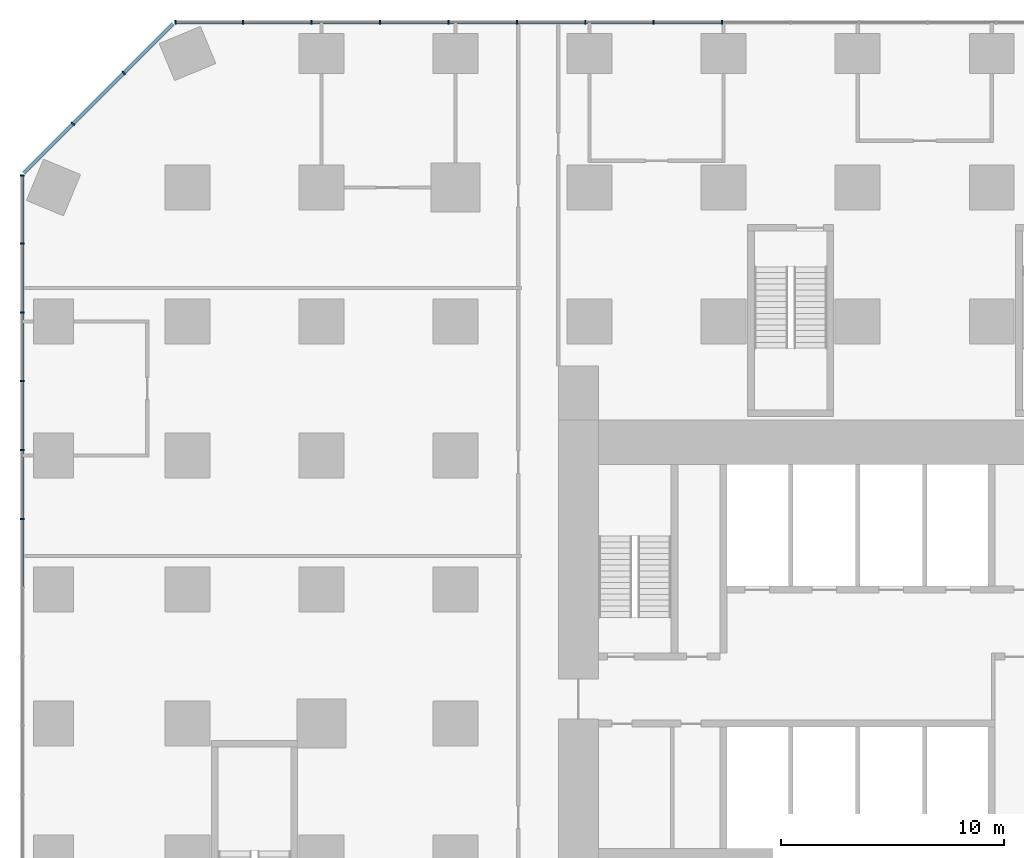
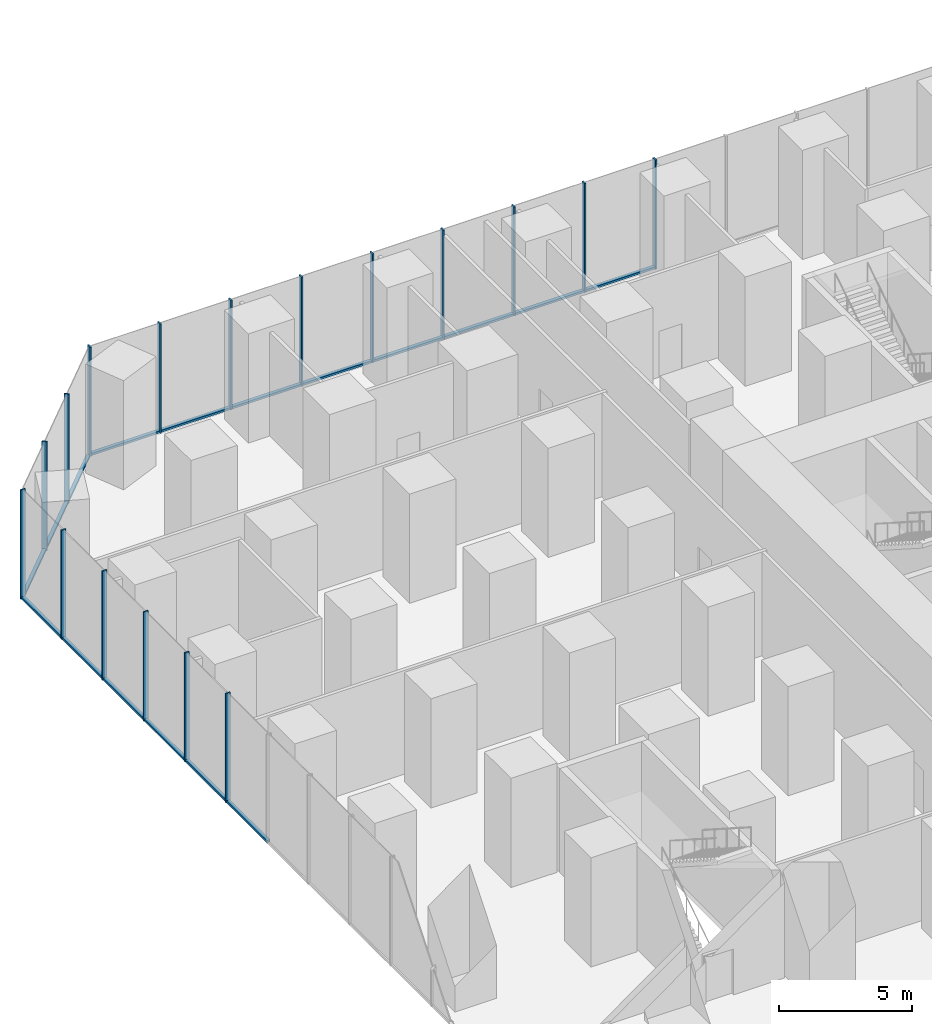
# One storey, part 5 of 15: 34 members, 3 elements without a shape of their own.
"""IFC4 building model written with IfcOpenShell, lengths in metres."""

from ifc_helpers import new_model, si_unit, direction, frame, origin, origin_2d, place, context, subcontext, project, spatial, rectangle, extrude, material, layer, layer_set, material_profile, profile_set, type_object, element, aggregate, save


model = new_model("IFC4")

# Units and contexts
model_context = context("Model", 3, precision=1e-05, world=origin(), true_north=direction((0.0, 1.0)))
body_context = subcontext(model_context, "Body", "Model", "MODEL_VIEW")
ifc_project = project(units=[si_unit("LENGTHUNIT", "METRE"), si_unit("AREAUNIT", "SQUARE_METRE"), si_unit("VOLUMEUNIT", "CUBIC_METRE"), si_unit("PLANEANGLEUNIT", "RADIAN"), si_unit("MASSUNIT", "GRAM", prefix="KILO")], contexts=[model_context])

# Site, building, storey
site_placement = place(None, origin())
site = spatial("IfcSite", under=ifc_project, at=site_placement, CompositionType="ELEMENT")
building_placement = place(site_placement, origin())
building = spatial("IfcBuilding", under=site, at=building_placement, Name="Highveld Stack Headquarters", CompositionType="ELEMENT")
storey_placement = place(building_placement, frame((0.0, 0.0, 6.0)))
storey = spatial("IfcBuildingStorey", under=building, at=storey_placement, Name="L01", CompositionType="ELEMENT", Elevation=6.0)

# Curtain wall, members
ifc_material_1 = material(Name="Aluminium bronze anodised", Category="aluminium")
ifc_layer = layer(ifc_material_1, 0.199951171875)
ifc_layer_set = layer_set([ifc_layer], Name="Aluminium bronze anodised")
curtain_wall_type = type_object("IfcCurtainWallType", Name="CW3 PODIUM STICK CURTAIN WALL", PredefinedType="NOTDEFINED", material=ifc_layer_set)
curtain_wall_1_placement = place(storey_placement, origin())
curtain_wall_1 = element("IfcCurtainWall", 1, at=curtain_wall_1_placement, inside=storey, type_object=curtain_wall_type, Name="Curtain wall CW3 L01 N", PredefinedType="NOTDEFINED")
ifc_material_2 = material(Name="Aluminium bronze anodised", Category="aluminium")
ifc_material_profile_1 = material_profile(ifc_material_2, rectangle(XDim=0.199951171875, YDim=0.06494140625, at=origin_2d()), Name="CW3 MULLION 65x200")
ifc_profile_set_1 = profile_set([ifc_material_profile_1], Name="Aluminium bronze anodised")
member_type_1 = type_object("IfcMemberType", Name="CW3 MULLION 65x200", PredefinedType="MULLION", material=ifc_profile_set_1)
member_1_placement = place(storey_placement, frame((-0.064453125, 31.39990234375, 0.0), z_axis=(0.0, 0.0, 1.0), x_axis=(0.0, -1.0, 0.0)))
member_1 = element("IfcMember", 2, at=member_1_placement, type_object=member_type_1, Name="CW3 mullion L01 11", PredefinedType="MULLION", context=body_context, shape_type="SweptSolid", body=[
    extrude(rectangle(XDim=0.199951171875, YDim=0.06494140625, at=origin_2d()), origin(), (0.0, 0.0, 1.0), 5.0),
])
member_2_placement = place(storey_placement, frame((-3.12890625, 31.39990234375, 0.0), z_axis=(0.0, 0.0, 1.0), x_axis=(0.0, -1.0, 0.0)))
member_2 = element("IfcMember", 3, at=member_2_placement, type_object=member_type_1, Name="CW3 mullion L01 12", PredefinedType="MULLION", context=body_context, shape_type="SweptSolid", body=[
    extrude(rectangle(XDim=0.199951171875, YDim=0.06494140625, at=origin_2d()), origin(), (0.0, 0.0, 1.0), 5.0),
])
member_3_placement = place(storey_placement, frame((-6.193359375, 31.39990234375, 0.0), z_axis=(0.0, 0.0, 1.0), x_axis=(0.0, -1.0, 0.0)))
member_3 = element("IfcMember", 4, at=member_3_placement, type_object=member_type_1, Name="CW3 mullion L01 13", PredefinedType="MULLION", context=body_context, shape_type="SweptSolid", body=[
    extrude(rectangle(XDim=0.199951171875, YDim=0.06494140625, at=origin_2d()), origin(), (0.0, 0.0, 1.0), 5.0),
])
member_4_placement = place(storey_placement, frame((-9.2578125, 31.39990234375, 0.0), z_axis=(0.0, 0.0, 1.0), x_axis=(0.0, -1.0, 0.0)))
member_4 = element("IfcMember", 5, at=member_4_placement, type_object=member_type_1, Name="CW3 mullion L01 14", PredefinedType="MULLION", context=body_context, shape_type="SweptSolid", body=[
    extrude(rectangle(XDim=0.199951171875, YDim=0.06494140625, at=origin_2d()), origin(), (0.0, 0.0, 1.0), 5.0),
])
member_5_placement = place(storey_placement, frame((-12.322265625, 31.39990234375, 0.0), z_axis=(0.0, 0.0, 1.0), x_axis=(0.0, -1.0, 0.0)))
member_5 = element("IfcMember", 6, at=member_5_placement, type_object=member_type_1, Name="CW3 mullion L01 15", PredefinedType="MULLION", context=body_context, shape_type="SweptSolid", body=[
    extrude(rectangle(XDim=0.199951171875, YDim=0.06494140625, at=origin_2d()), origin(), (0.0, 0.0, 1.0), 5.0),
])
member_6_placement = place(storey_placement, frame((-15.38671875, 31.39990234375, 0.0), z_axis=(0.0, 0.0, 1.0), x_axis=(0.0, -1.0, 0.0)))
member_6 = element("IfcMember", 7, at=member_6_placement, type_object=member_type_1, Name="CW3 mullion L01 16", PredefinedType="MULLION", context=body_context, shape_type="SweptSolid", body=[
    extrude(rectangle(XDim=0.199951171875, YDim=0.06494140625, at=origin_2d()), origin(), (0.0, 0.0, 1.0), 5.0),
])
member_7_placement = place(storey_placement, frame((-18.450927734375, 31.39990234375, 0.0), z_axis=(0.0, 0.0, 1.0), x_axis=(0.0, -1.0, 0.0)))
member_7 = element("IfcMember", 8, at=member_7_placement, type_object=member_type_1, Name="CW3 mullion L01 17", PredefinedType="MULLION", context=body_context, shape_type="SweptSolid", body=[
    extrude(rectangle(XDim=0.199951171875, YDim=0.06494140625, at=origin_2d()), origin(), (0.0, 0.0, 1.0), 5.0),
])
member_8_placement = place(storey_placement, frame((-21.515380859375, 31.39990234375, 0.0), z_axis=(0.0, 0.0, 1.0), x_axis=(0.0, -1.0, 0.0)))
member_8 = element("IfcMember", 9, at=member_8_placement, type_object=member_type_1, Name="CW3 mullion L01 18", PredefinedType="MULLION", context=body_context, shape_type="SweptSolid", body=[
    extrude(rectangle(XDim=0.199951171875, YDim=0.06494140625, at=origin_2d()), origin(), (0.0, 0.0, 1.0), 5.0),
])
member_9_placement = place(storey_placement, frame((-24.54736328125, 31.39990234375, 0.0), z_axis=(0.0, 0.0, 1.0), x_axis=(0.0, -1.0, 0.0)))
member_9 = element("IfcMember", 10, at=member_9_placement, type_object=member_type_1, Name="CW3 mullion L01 19", PredefinedType="MULLION", context=body_context, shape_type="SweptSolid", body=[
    extrude(rectangle(XDim=0.199951171875, YDim=0.06494140625, at=origin_2d()), origin(), (0.0, 0.0, 1.0), 5.0),
])

curtain_wall_2_placement = place(storey_placement, origin())
curtain_wall_2 = element("IfcCurtainWall", 11, at=curtain_wall_2_placement, inside=storey, type_object=curtain_wall_type, Name="Curtain wall CW3 L01 NW", PredefinedType="NOTDEFINED")
member_10_placement = place(storey_placement, frame((-26.853271484375, 29.126708984375, 0.0), z_axis=(0.0, 0.0, 1.0), x_axis=(0.707106781187, -0.707106781187, 0.0)))
member_10 = element("IfcMember", 12, at=member_10_placement, type_object=member_type_1, Name="CW3 mullion L01 1", PredefinedType="MULLION", context=body_context, shape_type="SweptSolid", body=[
    extrude(rectangle(XDim=0.199951171875, YDim=0.06494140625, at=origin_2d()), origin(), (0.0, 0.0, 1.0), 5.0),
])
member_11_placement = place(storey_placement, frame((-29.126708984375, 26.853271484375, 0.0), z_axis=(0.0, 0.0, 1.0), x_axis=(0.707106781187, -0.707106781187, 0.0)))
member_11 = element("IfcMember", 13, at=member_11_placement, type_object=member_type_1, Name="CW3 mullion L01 2", PredefinedType="MULLION", context=body_context, shape_type="SweptSolid", body=[
    extrude(rectangle(XDim=0.199951171875, YDim=0.06494140625, at=origin_2d()), origin(), (0.0, 0.0, 1.0), 5.0),
])

curtain_wall_3_placement = place(storey_placement, origin())
curtain_wall_3 = element("IfcCurtainWall", 14, at=curtain_wall_3_placement, inside=storey, type_object=curtain_wall_type, Name="Curtain wall CW3 L01 W", PredefinedType="NOTDEFINED")
member_12_placement = place(storey_placement, frame((-31.39990234375, 24.54736328125, 0.0), z_axis=(0.0, 0.0, 1.0), x_axis=(1.0, 0.0, 0.0)))
member_12 = element("IfcMember", 15, at=member_12_placement, type_object=member_type_1, Name="CW3 mullion L01 1", PredefinedType="MULLION", context=body_context, shape_type="SweptSolid", body=[
    extrude(rectangle(XDim=0.199951171875, YDim=0.06494140625, at=origin_2d()), origin(), (0.0, 0.0, 1.0), 5.0),
])
member_13_placement = place(storey_placement, frame((-31.39990234375, 21.4970703125, 0.0), z_axis=(0.0, 0.0, 1.0), x_axis=(1.0, 0.0, 0.0)))
member_13 = element("IfcMember", 16, at=member_13_placement, type_object=member_type_1, Name="CW3 mullion L01 2", PredefinedType="MULLION", context=body_context, shape_type="SweptSolid", body=[
    extrude(rectangle(XDim=0.199951171875, YDim=0.06494140625, at=origin_2d()), origin(), (0.0, 0.0, 1.0), 5.0),
])
member_14_placement = place(storey_placement, frame((-31.39990234375, 18.414306640625, 0.0), z_axis=(0.0, 0.0, 1.0), x_axis=(1.0, 0.0, 0.0)))
member_14 = element("IfcMember", 17, at=member_14_placement, type_object=member_type_1, Name="CW3 mullion L01 3", PredefinedType="MULLION", context=body_context, shape_type="SweptSolid", body=[
    extrude(rectangle(XDim=0.199951171875, YDim=0.06494140625, at=origin_2d()), origin(), (0.0, 0.0, 1.0), 5.0),
])
member_15_placement = place(storey_placement, frame((-31.39990234375, 15.331298828125, 0.0), z_axis=(0.0, 0.0, 1.0), x_axis=(1.0, 0.0, 0.0)))
member_15 = element("IfcMember", 18, at=member_15_placement, type_object=member_type_1, Name="CW3 mullion L01 4", PredefinedType="MULLION", context=body_context, shape_type="SweptSolid", body=[
    extrude(rectangle(XDim=0.199951171875, YDim=0.06494140625, at=origin_2d()), origin(), (0.0, 0.0, 1.0), 5.0),
])
member_16_placement = place(storey_placement, frame((-31.39990234375, 12.24853515625, 0.0), z_axis=(0.0, 0.0, 1.0), x_axis=(1.0, 0.0, 0.0)))
member_16 = element("IfcMember", 19, at=member_16_placement, type_object=member_type_1, Name="CW3 mullion L01 5", PredefinedType="MULLION", context=body_context, shape_type="SweptSolid", body=[
    extrude(rectangle(XDim=0.199951171875, YDim=0.06494140625, at=origin_2d()), origin(), (0.0, 0.0, 1.0), 5.0),
])
member_17_placement = place(storey_placement, frame((-31.39990234375, 9.165771484375, 0.0), z_axis=(0.0, 0.0, 1.0), x_axis=(1.0, 0.0, 0.0)))
member_17 = element("IfcMember", 20, at=member_17_placement, type_object=member_type_1, Name="CW3 mullion L01 6", PredefinedType="MULLION", context=body_context, shape_type="SweptSolid", body=[
    extrude(rectangle(XDim=0.199951171875, YDim=0.06494140625, at=origin_2d()), origin(), (0.0, 0.0, 1.0), 5.0),
])

# Member
ifc_material_3 = material(Name="Aluminium bronze anodised", Category="aluminium")
ifc_material_profile_2 = material_profile(ifc_material_3, rectangle(XDim=0.14990234375, YDim=0.10009765625, at=origin_2d()), Name="CW3 TRANSOM 150x100")
ifc_profile_set_2 = profile_set([ifc_material_profile_2], Name="Aluminium bronze anodised")
member_type_2 = type_object("IfcMemberType", Name="CW3 STACK TRANSOM 150x100", PredefinedType="USERDEFINED", material=ifc_profile_set_2)
member_18_placement = place(storey_placement, frame((-0.096923828125, 31.39990234375, 0.050048828125), z_axis=(-1.0, 0.0, 0.0), x_axis=(0.0, -1.0, 0.0)))
member_18 = element("IfcMember", 21, at=member_18_placement, type_object=member_type_2, Name="CW3 transom L01 11.1", ObjectType="TRANSOM", PredefinedType="USERDEFINED", context=body_context, shape_type="SweptSolid", body=[
    extrude(rectangle(XDim=0.14990234375, YDim=0.10009765625, at=origin_2d()), origin(), (0.0, 0.0, 1.0), 2.99951171875),
])

member_19_placement = place(storey_placement, frame((-3.161376953125, 31.39990234375, 0.050048828125), z_axis=(-1.0, 0.0, 0.0), x_axis=(0.0, -1.0, 0.0)))
member_19 = element("IfcMember", 22, at=member_19_placement, type_object=member_type_2, Name="CW3 transom L01 12.1", ObjectType="TRANSOM", PredefinedType="USERDEFINED", context=body_context, shape_type="SweptSolid", body=[
    extrude(rectangle(XDim=0.14990234375, YDim=0.10009765625, at=origin_2d()), origin(), (0.0, 0.0, 1.0), 2.99951171875),
])

member_20_placement = place(storey_placement, frame((-6.225830078125, 31.39990234375, 0.050048828125), z_axis=(-1.0, 0.0, 0.0), x_axis=(0.0, -1.0, 0.0)))
member_20 = element("IfcMember", 23, at=member_20_placement, type_object=member_type_2, Name="CW3 transom L01 13.1", ObjectType="TRANSOM", PredefinedType="USERDEFINED", context=body_context, shape_type="SweptSolid", body=[
    extrude(rectangle(XDim=0.14990234375, YDim=0.10009765625, at=origin_2d()), origin(), (0.0, 0.0, 1.0), 2.999267578125),
])

member_21_placement = place(storey_placement, frame((-9.290283203125, 31.39990234375, 0.050048828125), z_axis=(-1.0, 0.0, 0.0), x_axis=(0.0, -1.0, 0.0)))
member_21 = element("IfcMember", 24, at=member_21_placement, type_object=member_type_2, Name="CW3 transom L01 14.1", ObjectType="TRANSOM", PredefinedType="USERDEFINED", context=body_context, shape_type="SweptSolid", body=[
    extrude(rectangle(XDim=0.14990234375, YDim=0.10009765625, at=origin_2d()), origin(), (0.0, 0.0, 1.0), 2.99951171875),
])

member_22_placement = place(storey_placement, frame((-12.354736328125, 31.39990234375, 0.050048828125), z_axis=(-1.0, 0.0, 0.0), x_axis=(0.0, -1.0, 0.0)))
member_22 = element("IfcMember", 25, at=member_22_placement, type_object=member_type_2, Name="CW3 transom L01 15.1", ObjectType="TRANSOM", PredefinedType="USERDEFINED", context=body_context, shape_type="SweptSolid", body=[
    extrude(rectangle(XDim=0.14990234375, YDim=0.10009765625, at=origin_2d()), origin(), (0.0, 0.0, 1.0), 2.999267578125),
])

member_23_placement = place(storey_placement, frame((-15.419189453125, 31.39990234375, 0.050048828125), z_axis=(-1.0, 0.0, 0.0), x_axis=(0.0, -1.0, 0.0)))
member_23 = element("IfcMember", 26, at=member_23_placement, type_object=member_type_2, Name="CW3 transom L01 16.1", ObjectType="TRANSOM", PredefinedType="USERDEFINED", context=body_context, shape_type="SweptSolid", body=[
    extrude(rectangle(XDim=0.14990234375, YDim=0.10009765625, at=origin_2d()), origin(), (0.0, 0.0, 1.0), 2.999267578125),
])

member_24_placement = place(storey_placement, frame((-18.4833984375, 31.39990234375, 0.050048828125), z_axis=(-1.0, 0.0, 0.0), x_axis=(0.0, -1.0, 0.0)))
member_24 = element("IfcMember", 27, at=member_24_placement, type_object=member_type_2, Name="CW3 transom L01 17.1", ObjectType="TRANSOM", PredefinedType="USERDEFINED", context=body_context, shape_type="SweptSolid", body=[
    extrude(rectangle(XDim=0.14990234375, YDim=0.10009765625, at=origin_2d()), origin(), (0.0, 0.0, 1.0), 2.99951171875),
])

member_25_placement = place(storey_placement, frame((-21.548095703125, 31.39990234375, 0.050048828125), z_axis=(-1.0, 0.0, 0.0), x_axis=(0.0, -1.0, 0.0)))
member_25 = element("IfcMember", 28, at=member_25_placement, type_object=member_type_2, Name="CW3 transom L01 18.1", ObjectType="TRANSOM", PredefinedType="USERDEFINED", context=body_context, shape_type="SweptSolid", body=[
    extrude(rectangle(XDim=0.14990234375, YDim=0.10009765625, at=origin_2d()), origin(), (0.0, 0.0, 1.0), 2.966796875),
])

aggregate(curtain_wall_1, [member_1, member_2, member_3, member_4, member_5, member_6, member_7, member_8, member_9, member_18, member_19, member_20, member_21, member_22, member_23, member_24, member_25])

member_26_placement = place(storey_placement, frame((-24.650634765625, 31.329345703125, 0.050048828125), z_axis=(-0.707106781187, -0.707106781187, 0.0), x_axis=(0.707106781187, -0.707106781187, 0.0)))
member_26 = element("IfcMember", 29, at=member_26_placement, type_object=member_type_2, Name="CW3 transom L01 1.1", ObjectType="TRANSOM", PredefinedType="USERDEFINED", context=body_context, shape_type="SweptSolid", body=[
    extrude(rectangle(XDim=0.14990234375, YDim=0.10009765625, at=origin_2d()), origin(), (0.0, 0.0, 1.0), 3.08251953125),
])

member_27_placement = place(storey_placement, frame((-26.876220703125, 29.103759765625, 0.050048828125), z_axis=(-0.707106781187, -0.707106781187, 0.0), x_axis=(0.707106781187, -0.707106781187, 0.0)))
member_27 = element("IfcMember", 30, at=member_27_placement, type_object=member_type_2, Name="CW3 transom L01 2.1", ObjectType="TRANSOM", PredefinedType="USERDEFINED", context=body_context, shape_type="SweptSolid", body=[
    extrude(rectangle(XDim=0.14990234375, YDim=0.10009765625, at=origin_2d()), origin(), (0.0, 0.0, 1.0), 3.150146484375),
])

member_28_placement = place(storey_placement, frame((-29.149658203125, 26.830322265625, 0.050048828125), z_axis=(-0.707106781187, -0.707106781187, 0.0), x_axis=(0.707106781187, -0.707106781187, 0.0)))
member_28 = element("IfcMember", 31, at=member_28_placement, type_object=member_type_2, Name="CW3 transom L01 3.1", ObjectType="TRANSOM", PredefinedType="USERDEFINED", context=body_context, shape_type="SweptSolid", body=[
    extrude(rectangle(XDim=0.14990234375, YDim=0.10009765625, at=origin_2d()), origin(), (0.0, 0.0, 1.0), 3.08251953125),
])

aggregate(curtain_wall_2, [member_10, member_11, member_26, member_27, member_28])

member_29_placement = place(storey_placement, frame((-31.39990234375, 24.514892578125, 0.050048828125), z_axis=(0.0, -1.0, 0.0), x_axis=(1.0, 0.0, 0.0)))
member_29 = element("IfcMember", 32, at=member_29_placement, type_object=member_type_2, Name="CW3 transom L01 1.1", ObjectType="TRANSOM", PredefinedType="USERDEFINED", context=body_context, shape_type="SweptSolid", body=[
    extrude(rectangle(XDim=0.14990234375, YDim=0.10009765625, at=origin_2d()), origin(), (0.0, 0.0, 1.0), 2.9853515625),
])

member_30_placement = place(storey_placement, frame((-31.39990234375, 21.464599609375, 0.050048828125), z_axis=(0.0, -1.0, 0.0), x_axis=(1.0, 0.0, 0.0)))
member_30 = element("IfcMember", 33, at=member_30_placement, type_object=member_type_2, Name="CW3 transom L01 2.1", ObjectType="TRANSOM", PredefinedType="USERDEFINED", context=body_context, shape_type="SweptSolid", body=[
    extrude(rectangle(XDim=0.14990234375, YDim=0.10009765625, at=origin_2d()), origin(), (0.0, 0.0, 1.0), 3.017822265625),
])

member_31_placement = place(storey_placement, frame((-31.39990234375, 18.381591796875, 0.050048828125), z_axis=(0.0, -1.0, 0.0), x_axis=(1.0, 0.0, 0.0)))
member_31 = element("IfcMember", 34, at=member_31_placement, type_object=member_type_2, Name="CW3 transom L01 3.1", ObjectType="TRANSOM", PredefinedType="USERDEFINED", context=body_context, shape_type="SweptSolid", body=[
    extrude(rectangle(XDim=0.14990234375, YDim=0.10009765625, at=origin_2d()), origin(), (0.0, 0.0, 1.0), 3.017578125),
])

member_32_placement = place(storey_placement, frame((-31.39990234375, 15.298828125, 0.050048828125), z_axis=(0.0, -1.0, 0.0), x_axis=(1.0, 0.0, 0.0)))
member_32 = element("IfcMember", 35, at=member_32_placement, type_object=member_type_2, Name="CW3 transom L01 4.1", ObjectType="TRANSOM", PredefinedType="USERDEFINED", context=body_context, shape_type="SweptSolid", body=[
    extrude(rectangle(XDim=0.14990234375, YDim=0.10009765625, at=origin_2d()), origin(), (0.0, 0.0, 1.0), 3.017822265625),
])

member_33_placement = place(storey_placement, frame((-31.39990234375, 12.216064453125, 0.050048828125), z_axis=(0.0, -1.0, 0.0), x_axis=(1.0, 0.0, 0.0)))
member_33 = element("IfcMember", 36, at=member_33_placement, type_object=member_type_2, Name="CW3 transom L01 5.1", ObjectType="TRANSOM", PredefinedType="USERDEFINED", context=body_context, shape_type="SweptSolid", body=[
    extrude(rectangle(XDim=0.14990234375, YDim=0.10009765625, at=origin_2d()), origin(), (0.0, 0.0, 1.0), 3.017822265625),
])

member_34_placement = place(storey_placement, frame((-31.39990234375, 9.13330078125, 0.050048828125), z_axis=(0.0, -1.0, 0.0), x_axis=(1.0, 0.0, 0.0)))
member_34 = element("IfcMember", 37, at=member_34_placement, type_object=member_type_2, Name="CW3 transom L01 6.1", ObjectType="TRANSOM", PredefinedType="USERDEFINED", context=body_context, shape_type="SweptSolid", body=[
    extrude(rectangle(XDim=0.14990234375, YDim=0.10009765625, at=origin_2d()), origin(), (0.0, 0.0, 1.0), 3.01806640625),
])

aggregate(curtain_wall_3, [member_12, member_13, member_14, member_15, member_16, member_17, member_29, member_30, member_31, member_32, member_33, member_34])

save(model, "model.ifc")
